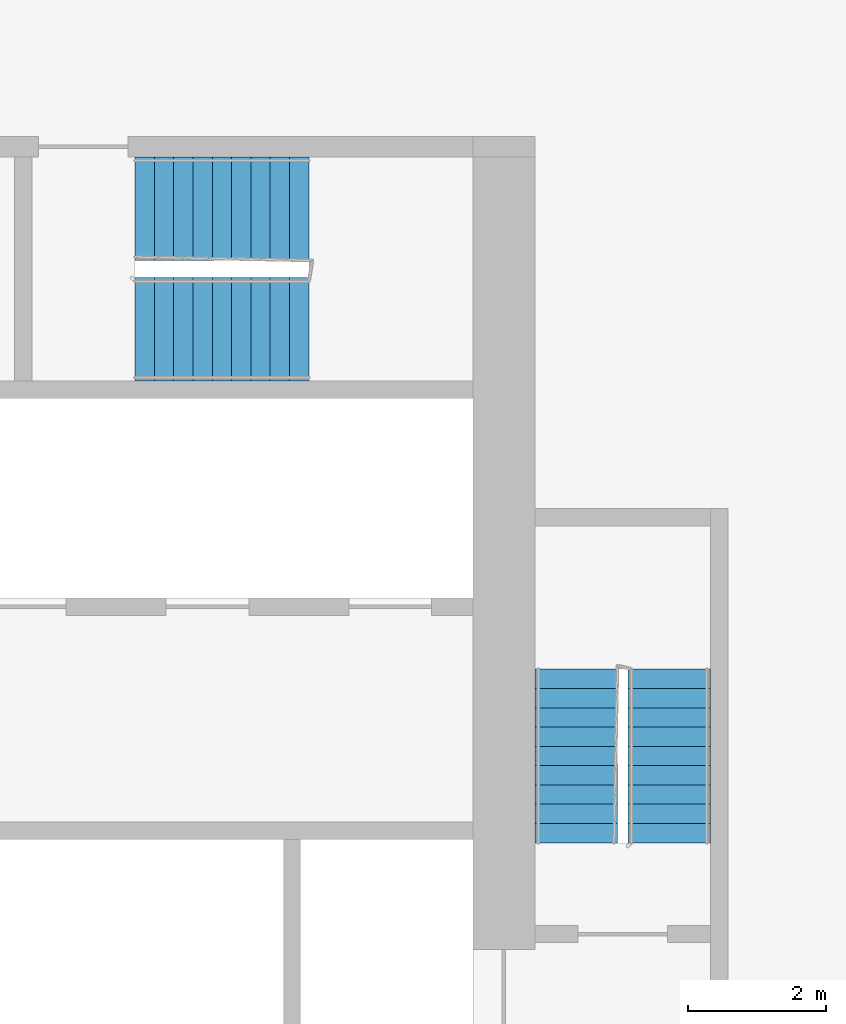
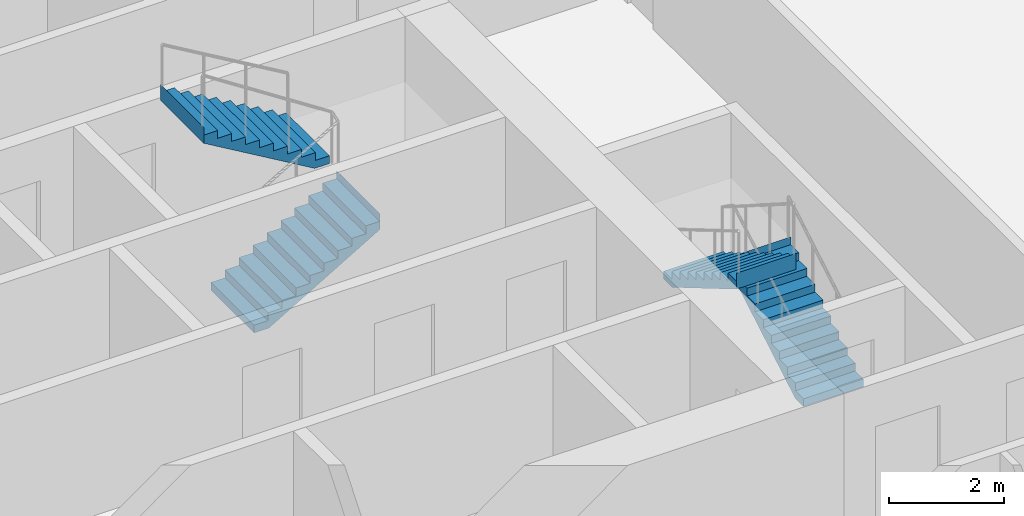
# One storey, part 11 of 12: 4 stair flights, 2 elements without a shape of their own.
"""IFC4 building model written with IfcOpenShell, lengths in metres."""

import ifcopenshell
import ifcopenshell.guid

model = None  # the IFC model being written
_history = None  # IfcOwnerHistory: only IFC2X3 demands one
_inside = {}  # id of a spatial element -> (the spatial element, [elements in it])
_under = {}  # id of a project, library or spatial element -> (it, [spatial elements below it])
_declared = {}  # id of a project -> (the project, [libraries it declares])
_typed = {}  # id of a type object -> (the type object, [elements of that type])
_made_of = {}  # id of a material, layer set ... -> (it, [elements and type objects made of it])


def new_model(schema):
    """Start an empty IFC model of exactly this schema.

    Asked for "IFC4X3", IfcOpenShell would pick the latest addendum, in which some entities
    have other attributes; the version numbers below select the first issue.
    IFC2X3 requires an IfcOwnerHistory on every rooted entity: one is made here for all.
    """
    global model, _history
    if schema == "IFC4X3":
        model = ifcopenshell.file(schema_version=(4, 3, 0, 0))
    else:
        model = ifcopenshell.file(schema=schema)
    _inside.clear()
    _under.clear()
    _declared.clear()
    _typed.clear()
    _made_of.clear()
    _history = None
    if model.schema == "IFC2X3":
        org = make("IfcOrganization", Name="unknown")
        user = make(
            "IfcPersonAndOrganization",
            ThePerson=make("IfcPerson", FamilyName="unknown"),
            TheOrganization=org,
        )
        app = make(
            "IfcApplication",
            ApplicationDeveloper=org,
            Version="unknown",
            ApplicationFullName="unknown",
            ApplicationIdentifier="unknown",
        )
        _history = make(
            "IfcOwnerHistory",
            OwningUser=user,
            OwningApplication=app,
            ChangeAction="ADDED",
            CreationDate=0,
        )
    return model


def make(cls, **values):
    """One entity of the class cls with the attributes given. An attribute that is None is left unset."""
    return model.create_entity(
        cls, **{name: value for name, value in values.items() if value is not None}
    )


def rooted(cls, **values):
    """An entity with a GlobalId (a new one), such as an element, a storey or a relation."""
    return make(cls, GlobalId=ifcopenshell.guid.new(), OwnerHistory=_history, **values)


def si_unit(unit_type, name, prefix=None):
    """IfcSIUnit, for example si_unit("LENGTHUNIT", "METRE", prefix="MILLI")."""
    return make("IfcSIUnit", UnitType=unit_type, Prefix=prefix, Name=name)


def assignment(units):
    """IfcUnitAssignment: the units of a project."""
    return None if units is None else make("IfcUnitAssignment", Units=units)


def point(xyz):
    """IfcCartesianPoint."""
    return None if xyz is None else make("IfcCartesianPoint", Coordinates=xyz)


def direction(xyz):
    """IfcDirection."""
    return None if xyz is None else make("IfcDirection", DirectionRatios=xyz)


def frame(location, z_axis=None, x_axis=None):
    """IfcAxis2Placement3D, a coordinate frame: its origin and axes. An axis left out is left unset."""
    return make(
        "IfcAxis2Placement3D",
        Location=point(location),
        Axis=direction(z_axis),
        RefDirection=direction(x_axis),
    )


def origin():
    """The frame at (0, 0, 0) with its axes left unset."""
    return frame((0.0, 0.0, 0.0))


def place(relative_to, where):
    """IfcLocalPlacement: puts the frame where relative to a parent placement (None: the world)."""
    return make(
        "IfcLocalPlacement", PlacementRelTo=relative_to, RelativePlacement=where
    )


def context(
    kind, dimensions, precision=None, world=None, true_north=None, identifier=None
):
    """IfcGeometricRepresentationContext, for example the 3D "Model" context."""
    return make(
        "IfcGeometricRepresentationContext",
        ContextIdentifier=identifier,
        ContextType=kind,
        CoordinateSpaceDimension=dimensions,
        Precision=precision,
        WorldCoordinateSystem=world,
        TrueNorth=true_north,
    )


def subcontext(parent, identifier, kind, view, scale=None):
    """IfcGeometricRepresentationSubContext, for example "Body" below "Model"."""
    return make(
        "IfcGeometricRepresentationSubContext",
        ContextIdentifier=identifier,
        ContextType=kind,
        ParentContext=parent,
        TargetScale=scale,
        TargetView=view,
    )


def project(units=None, contexts=None):
    """IfcProject with its units and contexts."""
    return rooted(
        "IfcProject",
        Name="project",
        RepresentationContexts=contexts,
        UnitsInContext=assignment(units),
    )


def spatial(cls, under=None, at=None, **own):
    """A site, building, storey or space (cls), placed at a placement, below another one or the project."""
    s = rooted(cls, ObjectPlacement=at, **own)
    if under is not None:
        _under.setdefault(under.id(), (under, []))[1].append(s)
    return s


def faces_of(points, faces, orient=None, outer=None):
    """IfcFace entities. A face is a list of loops; a loop is a list of indices into points, from 0.

    orient and outer hold one flag for each loop. By default every Orientation is true, the
    first loop of a face is its IfcFaceOuterBound and the others are IfcFaceBound.
    """
    made = []
    for i, loops in enumerate(faces):
        bounds = []
        for j, loop in enumerate(loops):
            is_outer = j == 0 if outer is None else outer[i][j]
            bounds.append(
                make(
                    "IfcFaceOuterBound" if is_outer else "IfcFaceBound",
                    Bound=make("IfcPolyLoop", Polygon=[points[k] for k in loop]),
                    Orientation=True if orient is None else orient[i][j],
                )
            )
        made.append(make("IfcFace", Bounds=bounds))
    return made


def faceted_brep(points, faces, orient=None, outer=None, voids=None):
    """IfcFacetedBrep: a solid bounded by flat faces; with voids (closed shells), ...WithVoids."""
    shared = [point(p) for p in points]
    hull = make("IfcClosedShell", CfsFaces=faces_of(shared, faces, orient, outer))
    if voids is None:
        return make("IfcFacetedBrep", Outer=hull)
    return make(
        "IfcFacetedBrepWithVoids",
        Outer=hull,
        Voids=[
            make(cls, CfsFaces=faces_of(shared, fs, o, b)) for cls, fs, o, b in voids
        ],
    )


def shape(context_of_items, identifier, shape_type, items):
    """IfcShapeRepresentation: the items that make up one representation, for example the "Body"."""
    return make(
        "IfcShapeRepresentation",
        ContextOfItems=context_of_items,
        RepresentationIdentifier=identifier,
        RepresentationType=shape_type,
        Items=items,
    )


def material(Name=None, Category=None):
    """IfcMaterial."""
    return make("IfcMaterial", Name=Name, Category=Category)


def made_of(thing, what):
    """Note that an element or type object is made of a material, layer set ...; save() writes the relation."""
    if what is not None:
        _made_of.setdefault(what.id(), (what, []))[1].append(thing)
    return thing


def type_object(cls, material=None, **own):
    """A type object (cls), such as IfcWallType, which elements share."""
    return made_of(rooted(cls, **own), material)


def element(
    cls,
    number,
    at=None,
    inside=None,
    cuts=None,
    type_object=None,
    material=None,
    context=None,
    identifier="Body",
    shape_type=None,
    held_by="IfcProductDefinitionShape",
    body=None,
    shapes=None,
    **own,
):
    """One element of the class cls, such as IfcWall. Its Tag is "e" and its number.

    at: its placement. inside: the storey or other place that contains it. cuts: it is an
    opening in that element (IfcRelVoidsElement). A single representation is given by context,
    identifier, shape_type and body (its items); several are given by shapes. held_by: the class
    of the entity that holds the representations. save() writes the other relations.
    """
    e = rooted(cls, Tag="e%d" % number, ObjectPlacement=at, **own)
    if body is not None:
        shapes = [shape(context, identifier, shape_type, body)]
    if shapes is not None:
        e.Representation = make(held_by, Representations=shapes)
    if inside is not None:
        _inside.setdefault(inside.id(), (inside, []))[1].append(e)
    if cuts is not None:
        rooted(
            "IfcRelVoidsElement", RelatingBuildingElement=cuts, RelatedOpeningElement=e
        )
    if type_object is not None:
        _typed.setdefault(type_object.id(), (type_object, []))[1].append(e)
    return made_of(e, material)


def aggregate(whole, parts):
    """IfcRelAggregates: a whole, such as a stair, and the parts it consists of."""
    return rooted("IfcRelAggregates", RelatingObject=whole, RelatedObjects=parts)


def save(model, path):
    """Write the relations noted so far, then the file.

    IfcRelAggregates (storeys below a building ...), IfcRelContainedInSpatialStructure (elements
    in a storey), IfcRelDefinesByType, IfcRelAssociatesMaterial and IfcRelDeclares: one each for
    every whole, place, type object, material and project.
    """
    for whole, parts in _under.values():
        aggregate(whole, parts)
    for where, things in _inside.values():
        rooted(
            "IfcRelContainedInSpatialStructure",
            RelatedElements=things,
            RelatingStructure=where,
        )
    for kind, things in _typed.values():
        rooted("IfcRelDefinesByType", RelatedObjects=things, RelatingType=kind)
    for what, things in _made_of.values():
        rooted("IfcRelAssociatesMaterial", RelatedObjects=things, RelatingMaterial=what)
    for by, libraries in _declared.values():
        rooted("IfcRelDeclares", RelatingContext=by, RelatedDefinitions=libraries)
    model.write(path)


model = new_model("IFC4")

# Units and contexts
model_context = context("Model", 3, precision=1e-05, world=origin(), true_north=direction((0.0, 1.0)))
body_context = subcontext(model_context, "Body", "Model", "MODEL_VIEW")
ifc_project = project(units=[si_unit("LENGTHUNIT", "METRE"), si_unit("AREAUNIT", "SQUARE_METRE"), si_unit("VOLUMEUNIT", "CUBIC_METRE"), si_unit("PLANEANGLEUNIT", "RADIAN"), si_unit("MASSUNIT", "GRAM", prefix="KILO")], contexts=[model_context])

# Site, building, storey
site_placement = place(None, origin())
site = spatial("IfcSite", under=ifc_project, at=site_placement, CompositionType="ELEMENT")
building_placement = place(site_placement, origin())
building = spatial("IfcBuilding", under=site, at=building_placement, Name="Kajstack Hotel Tower", CompositionType="ELEMENT")
storey_placement = place(building_placement, frame((0.0, 0.0, 63.300048828125)))
storey = spatial("IfcBuildingStorey", under=building, at=storey_placement, Name="L10", CompositionType="ELEMENT", Elevation=63.300048828125)

# Stair, stair flights
ifc_material = material(Name="Concrete C40/50", Category="concrete")
stair_type_1 = type_object("IfcStairType", Name="Exit stair 1200", PredefinedType="HALF_TURN_STAIR", material=ifc_material)
stair_1_placement = place(storey_placement, origin())
stair_1 = element("IfcStair", 1, at=stair_1_placement, inside=storey, type_object=stair_type_1, Name="L10 stair E1", PredefinedType="HALF_TURN_STAIR")
stair_flight_type_1 = type_object("IfcStairFlightType", Name="Exit stair flight 1200", PredefinedType="STRAIGHT", material=ifc_material)
stair_flight_1_placement = place(storey_placement, frame((33.449951171875, 5.25, 0.0), z_axis=(0.0, 0.0, 1.0), x_axis=(0.0, 1.0, 0.0)))
stair_flight_1 = element("IfcStairFlight", 2, at=stair_flight_1_placement, type_object=stair_flight_type_1, Name="E1 flight 1", NumberOfRisers=10, NumberOfTreads=9, PredefinedType="STRAIGHT", RiserHeight=0.165, TreadLength=0.28, context=body_context, shape_type="Brep", body=[
    faceted_brep([(0.295654296875, -0.60009765625, 0.0), (2.5205078125, -0.60009765625, 1.31103515625), (2.5205078125, -0.60009765625, 1.64990234375), (2.52001953125, -0.60009765625, 1.64990234375), (2.52001953125, -0.60009765625, 1.485107421875), (2.239990234375, -0.60009765625, 1.485107421875), (2.239990234375, -0.60009765625, 1.320068359375), (1.9599609375, -0.60009765625, 1.320068359375), (1.9599609375, -0.60009765625, 1.155029296875), (1.679931640625, -0.60009765625, 1.155029296875), (1.679931640625, -0.60009765625, 0.989990234375), (1.39990234375, -0.60009765625, 0.989990234375), (1.39990234375, -0.60009765625, 0.824951171875), (1.1201171875, -0.60009765625, 0.824951171875), (1.1201171875, -0.60009765625, 0.659912109375), (0.840087890625, -0.60009765625, 0.659912109375), (0.840087890625, -0.60009765625, 0.4951171875), (0.56005859375, -0.60009765625, 0.4951171875), (0.56005859375, -0.60009765625, 0.330078125), (0.280029296875, -0.60009765625, 0.330078125), (0.280029296875, -0.60009765625, 0.1650390625), (-0.00048828125, -0.60009765625, 0.1650390625), (-0.00048828125, -0.60009765625, 0.0), (-0.00048828125, 0.60009765625, 0.0), (-0.00048828125, 0.60009765625, 0.1650390625), (0.280029296875, 0.60009765625, 0.1650390625), (0.280029296875, 0.60009765625, 0.330078125), (0.56005859375, 0.60009765625, 0.330078125), (0.56005859375, 0.60009765625, 0.4951171875), (0.840087890625, 0.60009765625, 0.4951171875), (0.840087890625, 0.60009765625, 0.659912109375), (1.1201171875, 0.60009765625, 0.659912109375), (1.1201171875, 0.60009765625, 0.824951171875), (1.39990234375, 0.60009765625, 0.824951171875), (1.39990234375, 0.60009765625, 0.989990234375), (1.679931640625, 0.60009765625, 0.989990234375), (1.679931640625, 0.60009765625, 1.155029296875), (1.9599609375, 0.60009765625, 1.155029296875), (1.9599609375, 0.60009765625, 1.320068359375), (2.239990234375, 0.60009765625, 1.320068359375), (2.239990234375, 0.60009765625, 1.485107421875), (2.52001953125, 0.60009765625, 1.485107421875), (2.52001953125, 0.60009765625, 1.64990234375), (2.5205078125, 0.60009765625, 1.64990234375), (2.5205078125, 0.60009765625, 1.31103515625), (0.295654296875, 0.60009765625, 0.0), (-0.00048828125, -0.300048828125, 0.1650390625), (-0.00048828125, 0.0, 0.1650390625), (-0.00048828125, 0.300048828125, 0.1650390625), (-0.00048828125, 0.300048828125, 0.0), (-0.00048828125, 0.0, 0.0), (-0.00048828125, -0.300048828125, 0.0), (0.280029296875, -0.300048828125, 0.1650390625), (0.280029296875, 0.0, 0.1650390625), (0.280029296875, 0.300048828125, 0.1650390625), (0.280029296875, -0.300048828125, 0.330078125), (0.280029296875, 0.0, 0.330078125), (0.280029296875, 0.300048828125, 0.330078125), (0.56005859375, -0.300048828125, 0.330078125), (0.56005859375, 0.0, 0.330078125), (0.56005859375, 0.300048828125, 0.330078125), (0.56005859375, -0.300048828125, 0.4951171875), (0.56005859375, 0.0, 0.4951171875), (0.56005859375, 0.300048828125, 0.4951171875), (0.840087890625, -0.300048828125, 0.4951171875), (0.840087890625, 0.0, 0.4951171875), (0.840087890625, 0.300048828125, 0.4951171875), (0.840087890625, -0.300048828125, 0.659912109375), (0.840087890625, 0.0, 0.659912109375), (0.840087890625, 0.300048828125, 0.659912109375), (1.1201171875, -0.300048828125, 0.659912109375), (1.1201171875, 0.0, 0.659912109375), (1.1201171875, 0.300048828125, 0.659912109375), (1.1201171875, -0.300048828125, 0.824951171875), (1.1201171875, 0.0, 0.824951171875), (1.1201171875, 0.300048828125, 0.824951171875), (1.39990234375, -0.300048828125, 0.824951171875), (1.39990234375, 0.0, 0.824951171875), (1.39990234375, 0.300048828125, 0.824951171875), (1.39990234375, -0.300048828125, 0.989990234375), (1.39990234375, 0.0, 0.989990234375), (1.39990234375, 0.300048828125, 0.989990234375), (1.679931640625, -0.300048828125, 0.989990234375), (1.679931640625, 0.0, 0.989990234375), (1.679931640625, 0.300048828125, 0.989990234375), (1.679931640625, -0.300048828125, 1.155029296875), (1.679931640625, 0.0, 1.155029296875), (1.679931640625, 0.300048828125, 1.155029296875), (1.9599609375, -0.300048828125, 1.155029296875), (1.9599609375, 0.0, 1.155029296875), (1.9599609375, 0.300048828125, 1.155029296875), (1.9599609375, -0.300048828125, 1.320068359375), (1.9599609375, 0.0, 1.320068359375), (1.9599609375, 0.300048828125, 1.320068359375), (2.239990234375, -0.300048828125, 1.320068359375), (2.239990234375, 0.0, 1.320068359375), (2.239990234375, 0.300048828125, 1.320068359375), (2.239990234375, -0.300048828125, 1.485107421875), (2.239990234375, 0.0, 1.485107421875), (2.239990234375, 0.300048828125, 1.485107421875), (2.52001953125, -0.300048828125, 1.485107421875), (2.52001953125, 0.0, 1.485107421875), (2.52001953125, 0.300048828125, 1.485107421875), (2.52001953125, -0.300048828125, 1.64990234375), (2.52001953125, 0.0, 1.64990234375), (2.52001953125, 0.300048828125, 1.64990234375), (2.5205078125, -0.300048828125, 1.64990234375), (2.5205078125, 0.0, 1.64990234375), (2.5205078125, 0.300048828125, 1.64990234375), (2.5205078125, -0.300048828125, 1.31103515625), (2.5205078125, 0.0, 1.31103515625), (2.5205078125, 0.300048828125, 1.31103515625), (0.295654296875, -0.300048828125, 0.0), (0.295654296875, 0.0, 0.0), (0.295654296875, 0.300048828125, 0.0)], [[[0, 1, 2, 3, 4, 5, 6, 7, 8, 9, 10, 11, 12, 13, 14, 15, 16, 17, 18, 19, 20, 21, 22]], [[23, 24, 25, 26, 27, 28, 29, 30, 31, 32, 33, 34, 35, 36, 37, 38, 39, 40, 41, 42, 43, 44, 45]], [[21, 46, 47, 48, 24, 23, 49, 50, 51, 22]], [[20, 52, 53, 54, 25, 24, 48, 47, 46, 21]], [[19, 55, 56, 57, 26, 25, 54, 53, 52, 20]], [[18, 58, 59, 60, 27, 26, 57, 56, 55, 19]], [[17, 61, 62, 63, 28, 27, 60, 59, 58, 18]], [[16, 64, 65, 66, 29, 28, 63, 62, 61, 17]], [[15, 67, 68, 69, 30, 29, 66, 65, 64, 16]], [[14, 70, 71, 72, 31, 30, 69, 68, 67, 15]], [[13, 73, 74, 75, 32, 31, 72, 71, 70, 14]], [[12, 76, 77, 78, 33, 32, 75, 74, 73, 13]], [[11, 79, 80, 81, 34, 33, 78, 77, 76, 12]], [[10, 82, 83, 84, 35, 34, 81, 80, 79, 11]], [[9, 85, 86, 87, 36, 35, 84, 83, 82, 10]], [[8, 88, 89, 90, 37, 36, 87, 86, 85, 9]], [[7, 91, 92, 93, 38, 37, 90, 89, 88, 8]], [[6, 94, 95, 96, 39, 38, 93, 92, 91, 7]], [[5, 97, 98, 99, 40, 39, 96, 95, 94, 6]], [[4, 100, 101, 102, 41, 40, 99, 98, 97, 5]], [[3, 103, 104, 105, 42, 41, 102, 101, 100, 4]], [[2, 106, 107, 108, 43, 42, 105, 104, 103, 3]], [[1, 109, 110, 111, 44, 43, 108, 107, 106, 2]], [[0, 112, 113, 114, 45, 44, 111, 110, 109, 1]], [[22, 51, 50, 49, 23, 45, 114, 113, 112, 0]]]),
])
stair_flight_2_placement = place(storey_placement, frame((32.10009765625, 7.77001953125, 1.64990234375), z_axis=(0.0, 0.0, 1.0), x_axis=(0.0, -1.0, 0.0)))
stair_flight_2 = element("IfcStairFlight", 3, at=stair_flight_2_placement, type_object=stair_flight_type_1, Name="E1 flight 2", NumberOfRisers=10, NumberOfTreads=9, PredefinedType="STRAIGHT", RiserHeight=0.165, TreadLength=0.28, context=body_context, shape_type="Brep", body=[
    faceted_brep([(0.295654296875, -0.60009765625, 0.0), (2.5205078125, -0.60009765625, 1.31103515625), (2.5205078125, -0.60009765625, 1.64990234375), (2.52001953125, -0.60009765625, 1.64990234375), (2.52001953125, -0.60009765625, 1.485107421875), (2.239990234375, -0.60009765625, 1.485107421875), (2.239990234375, -0.60009765625, 1.320068359375), (1.9599609375, -0.60009765625, 1.320068359375), (1.9599609375, -0.60009765625, 1.155029296875), (1.679931640625, -0.60009765625, 1.155029296875), (1.679931640625, -0.60009765625, 0.989990234375), (1.39990234375, -0.60009765625, 0.989990234375), (1.39990234375, -0.60009765625, 0.824951171875), (1.1201171875, -0.60009765625, 0.824951171875), (1.1201171875, -0.60009765625, 0.659912109375), (0.840087890625, -0.60009765625, 0.659912109375), (0.840087890625, -0.60009765625, 0.4951171875), (0.56005859375, -0.60009765625, 0.4951171875), (0.56005859375, -0.60009765625, 0.330078125), (0.280029296875, -0.60009765625, 0.330078125), (0.280029296875, -0.60009765625, 0.1650390625), (-0.00048828125, -0.60009765625, 0.1650390625), (-0.00048828125, -0.60009765625, 0.0), (-0.00048828125, 0.60009765625, 0.0), (-0.00048828125, 0.60009765625, 0.1650390625), (0.280029296875, 0.60009765625, 0.1650390625), (0.280029296875, 0.60009765625, 0.330078125), (0.56005859375, 0.60009765625, 0.330078125), (0.56005859375, 0.60009765625, 0.4951171875), (0.840087890625, 0.60009765625, 0.4951171875), (0.840087890625, 0.60009765625, 0.659912109375), (1.1201171875, 0.60009765625, 0.659912109375), (1.1201171875, 0.60009765625, 0.824951171875), (1.39990234375, 0.60009765625, 0.824951171875), (1.39990234375, 0.60009765625, 0.989990234375), (1.679931640625, 0.60009765625, 0.989990234375), (1.679931640625, 0.60009765625, 1.155029296875), (1.9599609375, 0.60009765625, 1.155029296875), (1.9599609375, 0.60009765625, 1.320068359375), (2.239990234375, 0.60009765625, 1.320068359375), (2.239990234375, 0.60009765625, 1.485107421875), (2.52001953125, 0.60009765625, 1.485107421875), (2.52001953125, 0.60009765625, 1.64990234375), (2.5205078125, 0.60009765625, 1.64990234375), (2.5205078125, 0.60009765625, 1.31103515625), (0.295654296875, 0.60009765625, 0.0), (-0.00048828125, -0.300048828125, 0.1650390625), (-0.00048828125, 0.0, 0.1650390625), (-0.00048828125, 0.300048828125, 0.1650390625), (-0.00048828125, 0.300048828125, 0.0), (-0.00048828125, 0.0, 0.0), (-0.00048828125, -0.300048828125, 0.0), (0.280029296875, -0.300048828125, 0.1650390625), (0.280029296875, 0.0, 0.1650390625), (0.280029296875, 0.300048828125, 0.1650390625), (0.280029296875, -0.300048828125, 0.330078125), (0.280029296875, 0.0, 0.330078125), (0.280029296875, 0.300048828125, 0.330078125), (0.56005859375, -0.300048828125, 0.330078125), (0.56005859375, 0.0, 0.330078125), (0.56005859375, 0.300048828125, 0.330078125), (0.56005859375, -0.300048828125, 0.4951171875), (0.56005859375, 0.0, 0.4951171875), (0.56005859375, 0.300048828125, 0.4951171875), (0.840087890625, -0.300048828125, 0.4951171875), (0.840087890625, 0.0, 0.4951171875), (0.840087890625, 0.300048828125, 0.4951171875), (0.840087890625, -0.300048828125, 0.659912109375), (0.840087890625, 0.0, 0.659912109375), (0.840087890625, 0.300048828125, 0.659912109375), (1.1201171875, -0.300048828125, 0.659912109375), (1.1201171875, 0.0, 0.659912109375), (1.1201171875, 0.300048828125, 0.659912109375), (1.1201171875, -0.300048828125, 0.824951171875), (1.1201171875, 0.0, 0.824951171875), (1.1201171875, 0.300048828125, 0.824951171875), (1.39990234375, -0.300048828125, 0.824951171875), (1.39990234375, 0.0, 0.824951171875), (1.39990234375, 0.300048828125, 0.824951171875), (1.39990234375, -0.300048828125, 0.989990234375), (1.39990234375, 0.0, 0.989990234375), (1.39990234375, 0.300048828125, 0.989990234375), (1.679931640625, -0.300048828125, 0.989990234375), (1.679931640625, 0.0, 0.989990234375), (1.679931640625, 0.300048828125, 0.989990234375), (1.679931640625, -0.300048828125, 1.155029296875), (1.679931640625, 0.0, 1.155029296875), (1.679931640625, 0.300048828125, 1.155029296875), (1.9599609375, -0.300048828125, 1.155029296875), (1.9599609375, 0.0, 1.155029296875), (1.9599609375, 0.300048828125, 1.155029296875), (1.9599609375, -0.300048828125, 1.320068359375), (1.9599609375, 0.0, 1.320068359375), (1.9599609375, 0.300048828125, 1.320068359375), (2.239990234375, -0.300048828125, 1.320068359375), (2.239990234375, 0.0, 1.320068359375), (2.239990234375, 0.300048828125, 1.320068359375), (2.239990234375, -0.300048828125, 1.485107421875), (2.239990234375, 0.0, 1.485107421875), (2.239990234375, 0.300048828125, 1.485107421875), (2.52001953125, -0.300048828125, 1.485107421875), (2.52001953125, 0.0, 1.485107421875), (2.52001953125, 0.300048828125, 1.485107421875), (2.52001953125, -0.300048828125, 1.64990234375), (2.52001953125, 0.0, 1.64990234375), (2.52001953125, 0.300048828125, 1.64990234375), (2.5205078125, -0.300048828125, 1.64990234375), (2.5205078125, 0.0, 1.64990234375), (2.5205078125, 0.300048828125, 1.64990234375), (2.5205078125, -0.300048828125, 1.31103515625), (2.5205078125, 0.0, 1.31103515625), (2.5205078125, 0.300048828125, 1.31103515625), (0.295654296875, -0.300048828125, 0.0), (0.295654296875, 0.0, 0.0), (0.295654296875, 0.300048828125, 0.0)], [[[0, 1, 2, 3, 4, 5, 6, 7, 8, 9, 10, 11, 12, 13, 14, 15, 16, 17, 18, 19, 20, 21, 22]], [[23, 24, 25, 26, 27, 28, 29, 30, 31, 32, 33, 34, 35, 36, 37, 38, 39, 40, 41, 42, 43, 44, 45]], [[21, 46, 47, 48, 24, 23, 49, 50, 51, 22]], [[20, 52, 53, 54, 25, 24, 48, 47, 46, 21]], [[19, 55, 56, 57, 26, 25, 54, 53, 52, 20]], [[18, 58, 59, 60, 27, 26, 57, 56, 55, 19]], [[17, 61, 62, 63, 28, 27, 60, 59, 58, 18]], [[16, 64, 65, 66, 29, 28, 63, 62, 61, 17]], [[15, 67, 68, 69, 30, 29, 66, 65, 64, 16]], [[14, 70, 71, 72, 31, 30, 69, 68, 67, 15]], [[13, 73, 74, 75, 32, 31, 72, 71, 70, 14]], [[12, 76, 77, 78, 33, 32, 75, 74, 73, 13]], [[11, 79, 80, 81, 34, 33, 78, 77, 76, 12]], [[10, 82, 83, 84, 35, 34, 81, 80, 79, 11]], [[9, 85, 86, 87, 36, 35, 84, 83, 82, 10]], [[8, 88, 89, 90, 37, 36, 87, 86, 85, 9]], [[7, 91, 92, 93, 38, 37, 90, 89, 88, 8]], [[6, 94, 95, 96, 39, 38, 93, 92, 91, 7]], [[5, 97, 98, 99, 40, 39, 96, 95, 94, 6]], [[4, 100, 101, 102, 41, 40, 99, 98, 97, 5]], [[3, 103, 104, 105, 42, 41, 102, 101, 100, 4]], [[2, 106, 107, 108, 43, 42, 105, 104, 103, 3]], [[1, 109, 110, 111, 44, 43, 108, 107, 106, 2]], [[0, 112, 113, 114, 45, 44, 111, 110, 109, 1]], [[22, 51, 50, 49, 23, 45, 114, 113, 112, 0]]]),
])
aggregate(stair_1, [stair_flight_1, stair_flight_2])

stair_type_2 = type_object("IfcStairType", Name="Exit stair 1500", PredefinedType="HALF_TURN_STAIR", material=ifc_material)
stair_2_placement = place(storey_placement, origin())
stair_2 = element("IfcStair", 4, at=stair_2_placement, inside=storey, type_object=stair_type_2, Name="L10 stair E3", PredefinedType="HALF_TURN_STAIR")
stair_flight_type_2 = type_object("IfcStairFlightType", Name="Exit stair flight 1500", PredefinedType="STRAIGHT", material=ifc_material)
stair_flight_3_placement = place(storey_placement, frame((25.699951171875, 12.699951171875, 0.0), z_axis=(0.0, 0.0, 1.0), x_axis=(1.0, 0.0, 0.0)))
stair_flight_3 = element("IfcStairFlight", 5, at=stair_flight_3_placement, type_object=stair_flight_type_2, Name="E3 flight 1", NumberOfRisers=10, NumberOfTreads=9, PredefinedType="STRAIGHT", RiserHeight=0.165, TreadLength=0.28, context=body_context, shape_type="Brep", body=[
    faceted_brep([(0.295654296875, -0.75, 0.0), (2.5205078125, -0.75, 1.31103515625), (2.5205078125, -0.75, 1.64990234375), (2.52001953125, -0.75, 1.64990234375), (2.52001953125, -0.75, 1.485107421875), (2.239990234375, -0.75, 1.485107421875), (2.239990234375, -0.75, 1.320068359375), (1.9599609375, -0.75, 1.320068359375), (1.9599609375, -0.75, 1.155029296875), (1.679931640625, -0.75, 1.155029296875), (1.679931640625, -0.75, 0.989990234375), (1.39990234375, -0.75, 0.989990234375), (1.39990234375, -0.75, 0.824951171875), (1.1201171875, -0.75, 0.824951171875), (1.1201171875, -0.75, 0.659912109375), (0.840087890625, -0.75, 0.659912109375), (0.840087890625, -0.75, 0.4951171875), (0.56005859375, -0.75, 0.4951171875), (0.56005859375, -0.75, 0.330078125), (0.280029296875, -0.75, 0.330078125), (0.280029296875, -0.75, 0.1650390625), (-0.00048828125, -0.75, 0.1650390625), (-0.00048828125, -0.75, 0.0), (-0.00048828125, 0.75, 0.0), (-0.00048828125, 0.75, 0.1650390625), (0.280029296875, 0.75, 0.1650390625), (0.280029296875, 0.75, 0.330078125), (0.56005859375, 0.75, 0.330078125), (0.56005859375, 0.75, 0.4951171875), (0.840087890625, 0.75, 0.4951171875), (0.840087890625, 0.75, 0.659912109375), (1.1201171875, 0.75, 0.659912109375), (1.1201171875, 0.75, 0.824951171875), (1.39990234375, 0.75, 0.824951171875), (1.39990234375, 0.75, 0.989990234375), (1.679931640625, 0.75, 0.989990234375), (1.679931640625, 0.75, 1.155029296875), (1.9599609375, 0.75, 1.155029296875), (1.9599609375, 0.75, 1.320068359375), (2.239990234375, 0.75, 1.320068359375), (2.239990234375, 0.75, 1.485107421875), (2.52001953125, 0.75, 1.485107421875), (2.52001953125, 0.75, 1.64990234375), (2.5205078125, 0.75, 1.64990234375), (2.5205078125, 0.75, 1.31103515625), (0.295654296875, 0.75, 0.0), (-0.00048828125, -0.375, 0.1650390625), (-0.00048828125, 0.0, 0.1650390625), (-0.00048828125, 0.375, 0.1650390625), (-0.00048828125, 0.375, 0.0), (-0.00048828125, 0.0, 0.0), (-0.00048828125, -0.375, 0.0), (0.280029296875, -0.375, 0.1650390625), (0.280029296875, 0.0, 0.1650390625), (0.280029296875, 0.375, 0.1650390625), (0.280029296875, -0.375, 0.330078125), (0.280029296875, 0.0, 0.330078125), (0.280029296875, 0.375, 0.330078125), (0.56005859375, -0.375, 0.330078125), (0.56005859375, 0.0, 0.330078125), (0.56005859375, 0.375, 0.330078125), (0.56005859375, -0.375, 0.4951171875), (0.56005859375, 0.0, 0.4951171875), (0.56005859375, 0.375, 0.4951171875), (0.840087890625, -0.375, 0.4951171875), (0.840087890625, 0.0, 0.4951171875), (0.840087890625, 0.375, 0.4951171875), (0.840087890625, -0.375, 0.659912109375), (0.840087890625, 0.0, 0.659912109375), (0.840087890625, 0.375, 0.659912109375), (1.1201171875, -0.375, 0.659912109375), (1.1201171875, 0.0, 0.659912109375), (1.1201171875, 0.375, 0.659912109375), (1.1201171875, -0.375, 0.824951171875), (1.1201171875, 0.0, 0.824951171875), (1.1201171875, 0.375, 0.824951171875), (1.39990234375, -0.375, 0.824951171875), (1.39990234375, 0.0, 0.824951171875), (1.39990234375, 0.375, 0.824951171875), (1.39990234375, -0.375, 0.989990234375), (1.39990234375, 0.0, 0.989990234375), (1.39990234375, 0.375, 0.989990234375), (1.679931640625, -0.375, 0.989990234375), (1.679931640625, 0.0, 0.989990234375), (1.679931640625, 0.375, 0.989990234375), (1.679931640625, -0.375, 1.155029296875), (1.679931640625, 0.0, 1.155029296875), (1.679931640625, 0.375, 1.155029296875), (1.9599609375, -0.375, 1.155029296875), (1.9599609375, 0.0, 1.155029296875), (1.9599609375, 0.375, 1.155029296875), (1.9599609375, -0.375, 1.320068359375), (1.9599609375, 0.0, 1.320068359375), (1.9599609375, 0.375, 1.320068359375), (2.239990234375, -0.375, 1.320068359375), (2.239990234375, 0.0, 1.320068359375), (2.239990234375, 0.375, 1.320068359375), (2.239990234375, -0.375, 1.485107421875), (2.239990234375, 0.0, 1.485107421875), (2.239990234375, 0.375, 1.485107421875), (2.52001953125, -0.375, 1.485107421875), (2.52001953125, 0.0, 1.485107421875), (2.52001953125, 0.375, 1.485107421875), (2.52001953125, -0.375, 1.64990234375), (2.52001953125, 0.0, 1.64990234375), (2.52001953125, 0.375, 1.64990234375), (2.5205078125, -0.375, 1.64990234375), (2.5205078125, 0.0, 1.64990234375), (2.5205078125, 0.375, 1.64990234375), (2.5205078125, -0.375, 1.31103515625), (2.5205078125, 0.0, 1.31103515625), (2.5205078125, 0.375, 1.31103515625), (0.295654296875, -0.375, 0.0), (0.295654296875, 0.0, 0.0), (0.295654296875, 0.375, 0.0)], [[[0, 1, 2, 3, 4, 5, 6, 7, 8, 9, 10, 11, 12, 13, 14, 15, 16, 17, 18, 19, 20, 21, 22]], [[23, 24, 25, 26, 27, 28, 29, 30, 31, 32, 33, 34, 35, 36, 37, 38, 39, 40, 41, 42, 43, 44, 45]], [[21, 46, 47, 48, 24, 23, 49, 50, 51, 22]], [[20, 52, 53, 54, 25, 24, 48, 47, 46, 21]], [[19, 55, 56, 57, 26, 25, 54, 53, 52, 20]], [[18, 58, 59, 60, 27, 26, 57, 56, 55, 19]], [[17, 61, 62, 63, 28, 27, 60, 59, 58, 18]], [[16, 64, 65, 66, 29, 28, 63, 62, 61, 17]], [[15, 67, 68, 69, 30, 29, 66, 65, 64, 16]], [[14, 70, 71, 72, 31, 30, 69, 68, 67, 15]], [[13, 73, 74, 75, 32, 31, 72, 71, 70, 14]], [[12, 76, 77, 78, 33, 32, 75, 74, 73, 13]], [[11, 79, 80, 81, 34, 33, 78, 77, 76, 12]], [[10, 82, 83, 84, 35, 34, 81, 80, 79, 11]], [[9, 85, 86, 87, 36, 35, 84, 83, 82, 10]], [[8, 88, 89, 90, 37, 36, 87, 86, 85, 9]], [[7, 91, 92, 93, 38, 37, 90, 89, 88, 8]], [[6, 94, 95, 96, 39, 38, 93, 92, 91, 7]], [[5, 97, 98, 99, 40, 39, 96, 95, 94, 6]], [[4, 100, 101, 102, 41, 40, 99, 98, 97, 5]], [[3, 103, 104, 105, 42, 41, 102, 101, 100, 4]], [[2, 106, 107, 108, 43, 42, 105, 104, 103, 3]], [[1, 109, 110, 111, 44, 43, 108, 107, 106, 2]], [[0, 112, 113, 114, 45, 44, 111, 110, 109, 1]], [[22, 51, 50, 49, 23, 45, 114, 113, 112, 0]]]),
])
stair_flight_4_placement = place(storey_placement, frame((28.219970703125, 14.449951171875, 1.64990234375), z_axis=(0.0, 0.0, 1.0), x_axis=(-1.0, 0.0, 0.0)))
stair_flight_4 = element("IfcStairFlight", 6, at=stair_flight_4_placement, type_object=stair_flight_type_2, Name="E3 flight 2", NumberOfRisers=10, NumberOfTreads=9, PredefinedType="STRAIGHT", RiserHeight=0.165, TreadLength=0.28, context=body_context, shape_type="Brep", body=[
    faceted_brep([(0.295654296875, -0.75, 0.0), (2.5205078125, -0.75, 1.31103515625), (2.5205078125, -0.75, 1.64990234375), (2.52001953125, -0.75, 1.64990234375), (2.52001953125, -0.75, 1.485107421875), (2.239990234375, -0.75, 1.485107421875), (2.239990234375, -0.75, 1.320068359375), (1.9599609375, -0.75, 1.320068359375), (1.9599609375, -0.75, 1.155029296875), (1.679931640625, -0.75, 1.155029296875), (1.679931640625, -0.75, 0.989990234375), (1.39990234375, -0.75, 0.989990234375), (1.39990234375, -0.75, 0.824951171875), (1.1201171875, -0.75, 0.824951171875), (1.1201171875, -0.75, 0.659912109375), (0.840087890625, -0.75, 0.659912109375), (0.840087890625, -0.75, 0.4951171875), (0.56005859375, -0.75, 0.4951171875), (0.56005859375, -0.75, 0.330078125), (0.280029296875, -0.75, 0.330078125), (0.280029296875, -0.75, 0.1650390625), (-0.00048828125, -0.75, 0.1650390625), (-0.00048828125, -0.75, 0.0), (-0.00048828125, 0.75, 0.0), (-0.00048828125, 0.75, 0.1650390625), (0.280029296875, 0.75, 0.1650390625), (0.280029296875, 0.75, 0.330078125), (0.56005859375, 0.75, 0.330078125), (0.56005859375, 0.75, 0.4951171875), (0.840087890625, 0.75, 0.4951171875), (0.840087890625, 0.75, 0.659912109375), (1.1201171875, 0.75, 0.659912109375), (1.1201171875, 0.75, 0.824951171875), (1.39990234375, 0.75, 0.824951171875), (1.39990234375, 0.75, 0.989990234375), (1.679931640625, 0.75, 0.989990234375), (1.679931640625, 0.75, 1.155029296875), (1.9599609375, 0.75, 1.155029296875), (1.9599609375, 0.75, 1.320068359375), (2.239990234375, 0.75, 1.320068359375), (2.239990234375, 0.75, 1.485107421875), (2.52001953125, 0.75, 1.485107421875), (2.52001953125, 0.75, 1.64990234375), (2.5205078125, 0.75, 1.64990234375), (2.5205078125, 0.75, 1.31103515625), (0.295654296875, 0.75, 0.0), (-0.00048828125, -0.375, 0.1650390625), (-0.00048828125, 0.0, 0.1650390625), (-0.00048828125, 0.375, 0.1650390625), (-0.00048828125, 0.375, 0.0), (-0.00048828125, 0.0, 0.0), (-0.00048828125, -0.375, 0.0), (0.280029296875, -0.375, 0.1650390625), (0.280029296875, 0.0, 0.1650390625), (0.280029296875, 0.375, 0.1650390625), (0.280029296875, -0.375, 0.330078125), (0.280029296875, 0.0, 0.330078125), (0.280029296875, 0.375, 0.330078125), (0.56005859375, -0.375, 0.330078125), (0.56005859375, 0.0, 0.330078125), (0.56005859375, 0.375, 0.330078125), (0.56005859375, -0.375, 0.4951171875), (0.56005859375, 0.0, 0.4951171875), (0.56005859375, 0.375, 0.4951171875), (0.840087890625, -0.375, 0.4951171875), (0.840087890625, 0.0, 0.4951171875), (0.840087890625, 0.375, 0.4951171875), (0.840087890625, -0.375, 0.659912109375), (0.840087890625, 0.0, 0.659912109375), (0.840087890625, 0.375, 0.659912109375), (1.1201171875, -0.375, 0.659912109375), (1.1201171875, 0.0, 0.659912109375), (1.1201171875, 0.375, 0.659912109375), (1.1201171875, -0.375, 0.824951171875), (1.1201171875, 0.0, 0.824951171875), (1.1201171875, 0.375, 0.824951171875), (1.39990234375, -0.375, 0.824951171875), (1.39990234375, 0.0, 0.824951171875), (1.39990234375, 0.375, 0.824951171875), (1.39990234375, -0.375, 0.989990234375), (1.39990234375, 0.0, 0.989990234375), (1.39990234375, 0.375, 0.989990234375), (1.679931640625, -0.375, 0.989990234375), (1.679931640625, 0.0, 0.989990234375), (1.679931640625, 0.375, 0.989990234375), (1.679931640625, -0.375, 1.155029296875), (1.679931640625, 0.0, 1.155029296875), (1.679931640625, 0.375, 1.155029296875), (1.9599609375, -0.375, 1.155029296875), (1.9599609375, 0.0, 1.155029296875), (1.9599609375, 0.375, 1.155029296875), (1.9599609375, -0.375, 1.320068359375), (1.9599609375, 0.0, 1.320068359375), (1.9599609375, 0.375, 1.320068359375), (2.239990234375, -0.375, 1.320068359375), (2.239990234375, 0.0, 1.320068359375), (2.239990234375, 0.375, 1.320068359375), (2.239990234375, -0.375, 1.485107421875), (2.239990234375, 0.0, 1.485107421875), (2.239990234375, 0.375, 1.485107421875), (2.52001953125, -0.375, 1.485107421875), (2.52001953125, 0.0, 1.485107421875), (2.52001953125, 0.375, 1.485107421875), (2.52001953125, -0.375, 1.64990234375), (2.52001953125, 0.0, 1.64990234375), (2.52001953125, 0.375, 1.64990234375), (2.5205078125, -0.375, 1.64990234375), (2.5205078125, 0.0, 1.64990234375), (2.5205078125, 0.375, 1.64990234375), (2.5205078125, -0.375, 1.31103515625), (2.5205078125, 0.0, 1.31103515625), (2.5205078125, 0.375, 1.31103515625), (0.295654296875, -0.375, 0.0), (0.295654296875, 0.0, 0.0), (0.295654296875, 0.375, 0.0)], [[[0, 1, 2, 3, 4, 5, 6, 7, 8, 9, 10, 11, 12, 13, 14, 15, 16, 17, 18, 19, 20, 21, 22]], [[23, 24, 25, 26, 27, 28, 29, 30, 31, 32, 33, 34, 35, 36, 37, 38, 39, 40, 41, 42, 43, 44, 45]], [[21, 46, 47, 48, 24, 23, 49, 50, 51, 22]], [[20, 52, 53, 54, 25, 24, 48, 47, 46, 21]], [[19, 55, 56, 57, 26, 25, 54, 53, 52, 20]], [[18, 58, 59, 60, 27, 26, 57, 56, 55, 19]], [[17, 61, 62, 63, 28, 27, 60, 59, 58, 18]], [[16, 64, 65, 66, 29, 28, 63, 62, 61, 17]], [[15, 67, 68, 69, 30, 29, 66, 65, 64, 16]], [[14, 70, 71, 72, 31, 30, 69, 68, 67, 15]], [[13, 73, 74, 75, 32, 31, 72, 71, 70, 14]], [[12, 76, 77, 78, 33, 32, 75, 74, 73, 13]], [[11, 79, 80, 81, 34, 33, 78, 77, 76, 12]], [[10, 82, 83, 84, 35, 34, 81, 80, 79, 11]], [[9, 85, 86, 87, 36, 35, 84, 83, 82, 10]], [[8, 88, 89, 90, 37, 36, 87, 86, 85, 9]], [[7, 91, 92, 93, 38, 37, 90, 89, 88, 8]], [[6, 94, 95, 96, 39, 38, 93, 92, 91, 7]], [[5, 97, 98, 99, 40, 39, 96, 95, 94, 6]], [[4, 100, 101, 102, 41, 40, 99, 98, 97, 5]], [[3, 103, 104, 105, 42, 41, 102, 101, 100, 4]], [[2, 106, 107, 108, 43, 42, 105, 104, 103, 3]], [[1, 109, 110, 111, 44, 43, 108, 107, 106, 2]], [[0, 112, 113, 114, 45, 44, 111, 110, 109, 1]], [[22, 51, 50, 49, 23, 45, 114, 113, 112, 0]]]),
])
aggregate(stair_2, [stair_flight_3, stair_flight_4])

save(model, "model.ifc")
